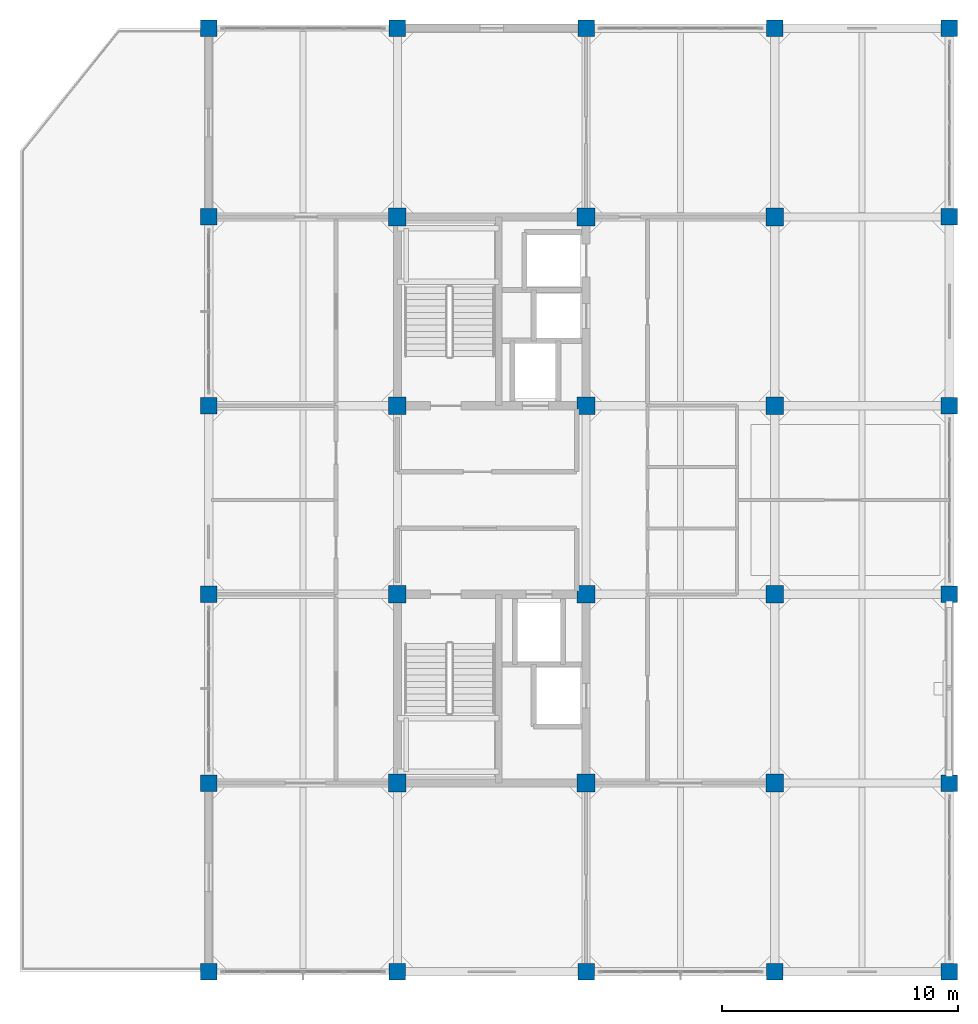
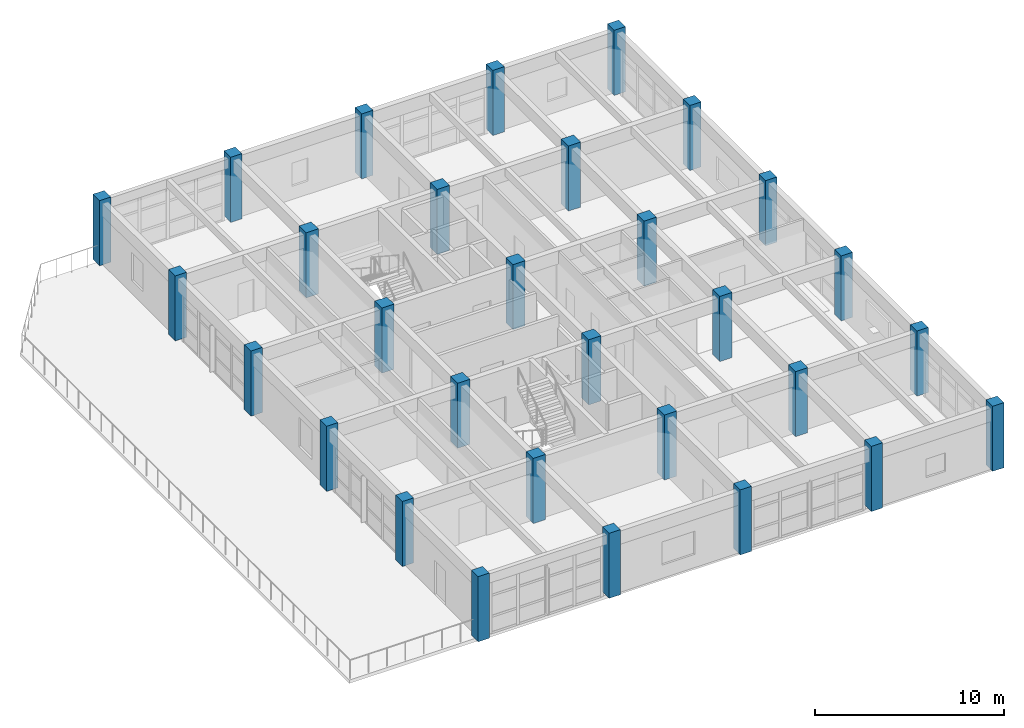
# One storey, part 1 of 25: 30 columns.
"""IFC4 building model written with IfcOpenShell, lengths in metres."""

from ifc_helpers import new_model, si_unit, direction, frame, origin, origin_2d, place, context, subcontext, project, spatial, rectangle, extrude, material, material_profile, profile_set, type_object, element, save


model = new_model("IFC4")

# Units and contexts
model_context = context("Model", 3, precision=1e-05, world=origin(), true_north=direction((0.0, 1.0)))
body_context = subcontext(model_context, "Body", "Model", "MODEL_VIEW")
ifc_project = project(units=[si_unit("LENGTHUNIT", "METRE"), si_unit("AREAUNIT", "SQUARE_METRE"), si_unit("VOLUMEUNIT", "CUBIC_METRE"), si_unit("PLANEANGLEUNIT", "RADIAN"), si_unit("MASSUNIT", "GRAM", prefix="KILO")], contexts=[model_context])

# Site, building, storey
site_placement = place(None, origin())
site = spatial("IfcSite", under=ifc_project, at=site_placement, CompositionType="ELEMENT")
building_placement = place(site_placement, origin())
building = spatial("IfcBuilding", under=site, at=building_placement, Name="Canggui Botanical Conservatory", CompositionType="ELEMENT")
storey_placement = place(building_placement, frame((0.0, 0.0, 40.199951171875)))
storey = spatial("IfcBuildingStorey", under=building, at=storey_placement, Name="L10", CompositionType="ELEMENT", Elevation=40.199951171875)

# Columns
ifc_material_1 = material(Name="Concrete C40", Category="concrete")
ifc_material_profile_1 = material_profile(ifc_material_1, rectangle(XDim=0.75, YDim=0.75, at=origin_2d()), Name="RC 750x750")
ifc_profile_set_1 = profile_set([ifc_material_profile_1], Name="Concrete C40")
column_type_1 = type_object("IfcColumnType", Name="COL-KZ08", PredefinedType="COLUMN", material=ifc_profile_set_1)
for number, where, z_axis, x_axis, name in (
    (1, (154.0, 42.0, 0.0), (0.0, 0.0, 1.0), (1.0, 0.0, 0.0), "Tower RC Column L10 (154,42)"),
    (2, (154.0, 50.0, 0.0), (0.0, 0.0, 1.0), (1.0, 0.0, 0.0), "Tower RC Column L10 (154,50)"),
    (3, (154.0, 58.0, 0.0), (0.0, 0.0, 1.0), (1.0, 0.0, 0.0), "Tower RC Column L10 (154,58)"),
    (4, (154.0, 66.0, 0.0), (0.0, 0.0, 1.0), (1.0, 0.0, 0.0), "Tower RC Column L10 (154,66)"),
    (5, (162.0, 42.0, 0.0), (0.0, 0.0, 1.0), (1.0, 0.0, 0.0), "Tower RC Column L10 (162,42)"),
    (6, (162.0, 50.0, 0.0), (0.0, 0.0, 1.0), (1.0, 0.0, 0.0), "Tower RC Column L10 (162,50)"),
    (7, (162.0, 58.0, 0.0), (0.0, 0.0, 1.0), (1.0, 0.0, 0.0), "Tower RC Column L10 (162,58)"),
    (8, (162.0, 66.0, 0.0), (0.0, 0.0, 1.0), (1.0, 0.0, 0.0), "Tower RC Column L10 (162,66)"),
    (9, (170.0, 42.0, 0.0), (0.0, 0.0, 1.0), (1.0, 0.0, 0.0), "Tower RC Column L10 (170,42)"),
    (10, (170.0, 50.0, 0.0), (0.0, 0.0, 1.0), (1.0, 0.0, 0.0), "Tower RC Column L10 (170,50)"),
    (11, (170.0, 58.0, 0.0), (0.0, 0.0, 1.0), (1.0, 0.0, 0.0), "Tower RC Column L10 (170,58)"),
    (12, (170.0, 66.0, 0.0), (0.0, 0.0, 1.0), (1.0, 0.0, 0.0), "Tower RC Column L10 (170,66)"),
):
    element("IfcColumn", number, at=place(storey_placement, frame(where, z_axis=z_axis, x_axis=x_axis)), inside=storey, type_object=column_type_1, Name=name, PredefinedType="COLUMN", context=body_context, shape_type="SweptSolid", body=[
        extrude(rectangle(XDim=0.75, YDim=0.75, at=origin_2d()), origin(), (0.0, 0.0, 1.0), 4.199951171875),
    ])
ifc_material_2 = material(Name="Concrete C35", Category="concrete")
ifc_material_profile_2 = material_profile(ifc_material_2, rectangle(XDim=0.699951171875, YDim=0.699951171875, at=origin_2d()), Name="RC 700x700")
ifc_profile_set_2 = profile_set([ifc_material_profile_2], Name="Concrete C35")
column_type_2 = type_object("IfcColumnType", Name="COL-KZ09", PredefinedType="COLUMN", material=ifc_profile_set_2)
for number, where, z_axis, x_axis, name in (
    (13, (146.0, 34.0, 0.0), (0.0, 0.0, 1.0), (1.0, 0.0, 0.0), "Tower RC Column L10 (146,34)"),
    (14, (146.0, 42.0, 0.0), (0.0, 0.0, 1.0), (1.0, 0.0, 0.0), "Tower RC Column L10 (146,42)"),
    (15, (146.0, 50.0, 0.0), (0.0, 0.0, 1.0), (1.0, 0.0, 0.0), "Tower RC Column L10 (146,50)"),
    (16, (146.0, 58.0, 0.0), (0.0, 0.0, 1.0), (1.0, 0.0, 0.0), "Tower RC Column L10 (146,58)"),
    (17, (146.0, 66.0, 0.0), (0.0, 0.0, 1.0), (1.0, 0.0, 0.0), "Tower RC Column L10 (146,66)"),
    (18, (146.0, 74.0, 0.0), (0.0, 0.0, 1.0), (1.0, 0.0, 0.0), "Tower RC Column L10 (146,74)"),
    (19, (154.0, 34.0, 0.0), (0.0, 0.0, 1.0), (1.0, 0.0, 0.0), "Tower RC Column L10 (154,34)"),
    (20, (154.0, 74.0, 0.0), (0.0, 0.0, 1.0), (1.0, 0.0, 0.0), "Tower RC Column L10 (154,74)"),
    (21, (162.0, 34.0, 0.0), (0.0, 0.0, 1.0), (1.0, 0.0, 0.0), "Tower RC Column L10 (162,34)"),
    (22, (162.0, 74.0, 0.0), (0.0, 0.0, 1.0), (1.0, 0.0, 0.0), "Tower RC Column L10 (162,74)"),
    (23, (170.0, 34.0, 0.0), (0.0, 0.0, 1.0), (1.0, 0.0, 0.0), "Tower RC Column L10 (170,34)"),
    (24, (170.0, 74.0, 0.0), (0.0, 0.0, 1.0), (1.0, 0.0, 0.0), "Tower RC Column L10 (170,74)"),
    (25, (177.39990234375, 34.0, 0.0), (0.0, 0.0, 1.0), (1.0, 0.0, 0.0), "Tower RC Column L10 (178,34)"),
    (26, (177.39990234375, 42.0, 0.0), (0.0, 0.0, 1.0), (1.0, 0.0, 0.0), "Tower RC Column L10 (178,42)"),
    (27, (177.39990234375, 50.0, 0.0), (0.0, 0.0, 1.0), (1.0, 0.0, 0.0), "Tower RC Column L10 (178,50)"),
    (28, (177.39990234375, 58.0, 0.0), (0.0, 0.0, 1.0), (1.0, 0.0, 0.0), "Tower RC Column L10 (178,58)"),
    (29, (177.39990234375, 66.0, 0.0), (0.0, 0.0, 1.0), (1.0, 0.0, 0.0), "Tower RC Column L10 (178,66)"),
    (30, (177.39990234375, 74.0, 0.0), (0.0, 0.0, 1.0), (1.0, 0.0, 0.0), "Tower RC Column L10 (178,74)"),
):
    element("IfcColumn", number, at=place(storey_placement, frame(where, z_axis=z_axis, x_axis=x_axis)), inside=storey, type_object=column_type_2, Name=name, PredefinedType="COLUMN", context=body_context, shape_type="SweptSolid", body=[
        extrude(rectangle(XDim=0.699951171875, YDim=0.699951171875, at=origin_2d()), origin(), (0.0, 0.0, 1.0), 4.199951171875),
    ])

save(model, "model.ifc")
